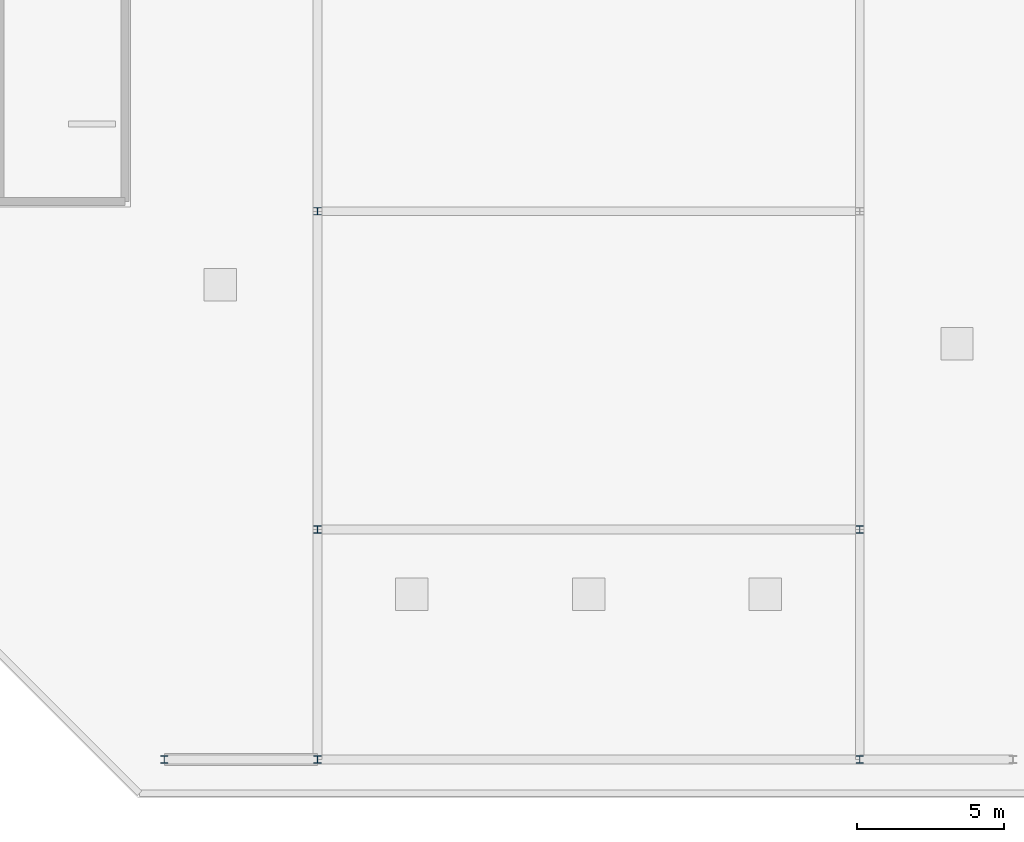
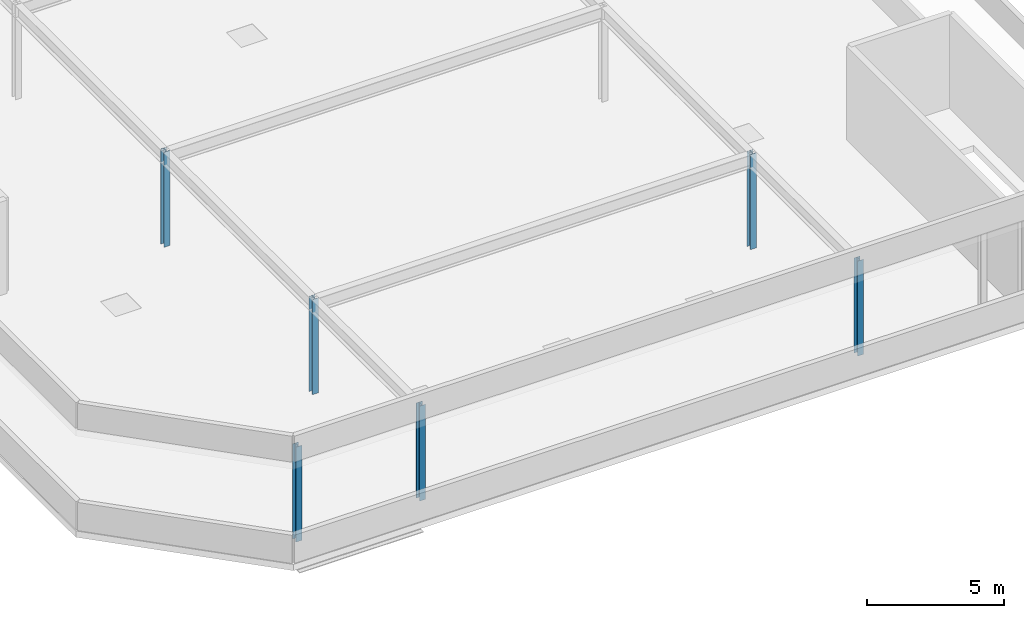
# One storey, part 1 of 6: 6 columns.
"""IFC4 building model written with IfcOpenShell, lengths in metres."""

from ifc_helpers import new_model, si_unit, direction, frame, origin, origin_2d, place, context, subcontext, project, spatial, i_section, extrude, material, material_profile, profile_set, type_object, element, save


model = new_model("IFC4")

# Units and contexts
model_context = context("Model", 3, precision=1e-05, world=origin(), true_north=direction((0.0, 1.0)))
body_context = subcontext(model_context, "Body", "Model", "MODEL_VIEW")
ifc_project = project(units=[si_unit("LENGTHUNIT", "METRE"), si_unit("AREAUNIT", "SQUARE_METRE"), si_unit("VOLUMEUNIT", "CUBIC_METRE"), si_unit("PLANEANGLEUNIT", "RADIAN"), si_unit("MASSUNIT", "GRAM", prefix="KILO")], contexts=[model_context])

# Site, building, storey
site_placement = place(None, origin())
site = spatial("IfcSite", under=ifc_project, at=site_placement, CompositionType="ELEMENT")
building_placement = place(site_placement, origin())
building = spatial("IfcBuilding", under=site, at=building_placement, Name="Khairoan Windgate Tower", CompositionType="ELEMENT")
storey_placement = place(building_placement, frame((0.0, 0.0, 339.5)))
storey = spatial("IfcBuildingStorey", under=building, at=storey_placement, Name="L81", CompositionType="ELEMENT", Elevation=339.5)

# Columns
ifc_material = material(Name="Steel S355", Category="steel")
ifc_material_profile = material_profile(ifc_material, i_section(OverallWidth=0.25, OverallDepth=0.25, WebThickness=0.009033203125, FlangeThickness=0.013916015625, FilletRadius=0.01611328125, at=origin_2d()))
ifc_profile_set = profile_set([ifc_material_profile], Name="Steel S355")
column_type = type_object("IfcColumnType", Name="Steel Column SC7 H250x250x9x14", PredefinedType="COLUMN", material=ifc_profile_set)
for number, where, z_axis, x_axis, name in (
    (1, (-9.199951171875, 0.0, 0.0), (0.0, 0.0, 1.0), (1.0, 0.0, 0.0), "Column L81-01"),
    (2, (-14.39990234375, -18.60009765625, 0.0), (0.0, 0.0, 1.0), (1.0, 0.0, 0.0), "Column L81-03"),
    (3, (-9.199951171875, -10.800048828125, 0.0), (0.0, 0.0, 1.0), (1.0, 0.0, 0.0), "Column L81-04"),
    (4, (9.199951171875, -18.60009765625, 0.0), (0.0, 0.0, 1.0), (1.0, 0.0, 0.0), "Column L81-05"),
    (5, (9.199951171875, -10.800048828125, 0.0), (0.0, 0.0, 1.0), (1.0, 0.0, 0.0), "Column L81-09"),
    (6, (-9.199951171875, -18.60009765625, 0.0), (0.0, 0.0, 1.0), (1.0, 0.0, 0.0), "Column L81-10"),
):
    element("IfcColumn", number, at=place(storey_placement, frame(where, z_axis=z_axis, x_axis=x_axis)), inside=storey, type_object=column_type, Name=name, PredefinedType="COLUMN", context=body_context, shape_type="SweptSolid", body=[
        extrude(i_section(OverallWidth=0.25, OverallDepth=0.25, WebThickness=0.009033203125, FlangeThickness=0.013916015625, FilletRadius=0.01611328125, at=origin_2d()), origin(), (0.0, 0.0, 1.0), 4.219970703125),
    ])

save(model, "model.ifc")
